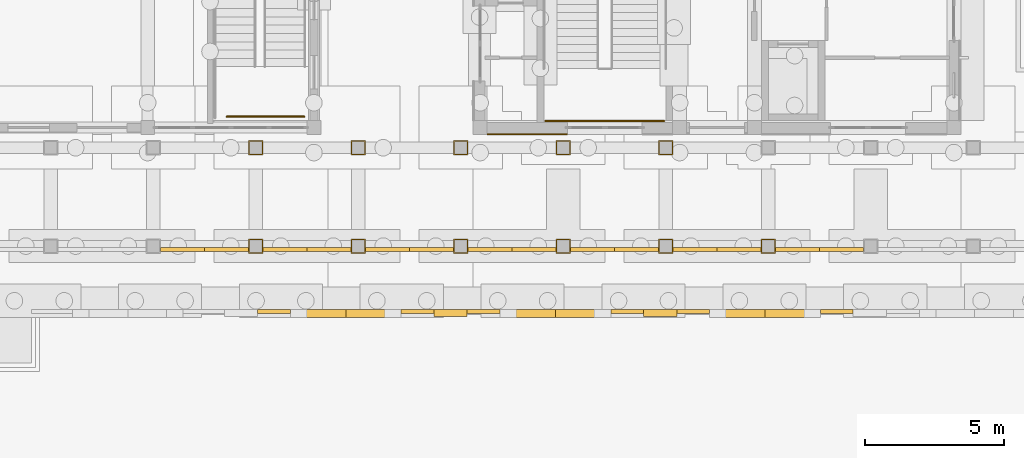
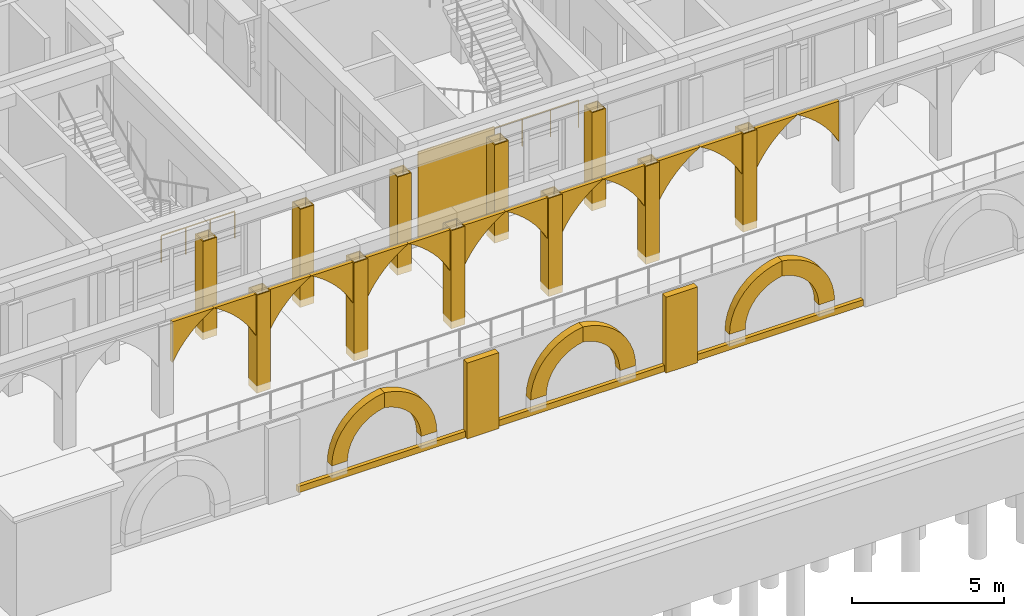
# One storey, part 93 of 161: 37 coverings, 2 railings.
"""IFC4 building model written with IfcOpenShell, lengths in metres."""

from ifc_helpers import new_model, si_unit, direction, frame, origin, origin_2d, place, context, subcontext, project, spatial, polyline, rectangle, circle, outline, extrude, material, layer, layer_set, type_object, element, save


model = new_model("IFC4")

# Units and contexts
model_context = context("Model", 3, precision=1e-05, world=origin(), true_north=direction((0.0, 1.0)))
body_context = subcontext(model_context, "Body", "Model", "MODEL_VIEW")
ifc_project = project(units=[si_unit("LENGTHUNIT", "METRE"), si_unit("AREAUNIT", "SQUARE_METRE"), si_unit("VOLUMEUNIT", "CUBIC_METRE"), si_unit("PLANEANGLEUNIT", "RADIAN"), si_unit("MASSUNIT", "GRAM", prefix="KILO")], contexts=[model_context])

# Site, building, storey
site_placement = place(None, origin())
site = spatial("IfcSite", under=ifc_project, at=site_placement, CompositionType="ELEMENT")
building_placement = place(site_placement, origin())
building = spatial("IfcBuilding", under=site, at=building_placement, Name="Elbe Cascade School", CompositionType="ELEMENT")
storey_placement = place(building_placement, origin())
storey = spatial("IfcBuildingStorey", under=building, at=storey_placement, Name="L00", CompositionType="ELEMENT", Elevation=0.0)

# Railing
ifc_material_1 = material(Name="Steel S355J2H, painted", Category="steel")
railing_type_1 = type_object("IfcRailingType", Name="Bar stair guard 1100", PredefinedType="GUARDRAIL", material=ifc_material_1)
railing_1_placement = place(storey_placement, frame((71.360107421875, 6.239990234375, 2.25)))
element("IfcRailing", 1, at=railing_1_placement, inside=storey, type_object=railing_type_1, Name="Stair guard A0.S", PredefinedType="GUARDRAIL", context=body_context, shape_type="SweptSolid", body=[
    extrude(circle(Radius=0.02392578125, at=origin_2d()), frame((0.0, 0.0, 1.09619140625), z_axis=(1.0, 0.0, 0.0), x_axis=(0.0, 1.0, 0.0)), (0.0, 0.0, 1.0), 4.27978515625),
    extrude(circle(Radius=0.02099609375, at=origin_2d()), origin(), (0.0, 0.0, 1.0), 1.072021484375),
    extrude(circle(Radius=0.02099609375, at=origin_2d()), frame((1.06982421875, 0.0, 0.0)), (0.0, 0.0, 1.0), 1.072021484375),
    extrude(circle(Radius=0.02099609375, at=origin_2d()), frame((2.139892578125, 0.0, 0.0)), (0.0, 0.0, 1.0), 1.072021484375),
    extrude(circle(Radius=0.02099609375, at=origin_2d()), frame((3.2099609375, 0.0, 0.0)), (0.0, 0.0, 1.0), 1.072021484375),
    extrude(circle(Radius=0.02099609375, at=origin_2d()), frame((4.27978515625, 0.0, 0.0)), (0.0, 0.0, 1.0), 1.072021484375),
])

# Covering
ifc_material_2 = material(Name="Sandstone - red", Category="masonry")
ifc_layer_1 = layer(ifc_material_2, 0.0400390625)
ifc_layer_set_1 = layer_set([ifc_layer_1], Name="Sandstone - red")
covering_type_1 = type_object("IfcCoveringType", Name="Bars envelope Sandstone cladding, red, 40 mm", PredefinedType="CLADDING", material=ifc_layer_set_1)
covering_1_placement = place(storey_placement, frame((70.699951171875, 5.760009765625, 0.0), z_axis=(0.0, 0.0, 1.0), x_axis=(1.0, 0.0, 0.0)))
element("IfcCovering", 2, at=covering_1_placement, inside=storey, type_object=covering_type_1, Name="Sandstone cladding CV48 A.L00.s.1a.1", PredefinedType="CLADDING", context=body_context, shape_type="SweptSolid", body=[
    extrude(rectangle(XDim=2.89990234375, YDim=0.0400390625, at=origin_2d()), origin(), (0.0, 0.0, 1.0), 3.800048828125),
])

# Railing
ifc_material_3 = material(Name="Steel S355J2H balustrade", Category="steel")
railing_type_2 = type_object("IfcRailingType", Name="Cafe guard 1100", PredefinedType="GUARDRAIL", material=ifc_material_3)
railing_2_placement = place(storey_placement, frame((59.85009765625, 6.39990234375, 2.25)))
element("IfcRailing", 3, at=railing_2_placement, inside=storey, type_object=railing_type_2, Name="Cafe guard 1100 RL11", PredefinedType="GUARDRAIL", context=body_context, shape_type="SweptSolid", body=[
    extrude(circle(Radius=0.02490234375, at=origin_2d()), frame((0.0, 0.0, 1.0751953125), z_axis=(1.0, 0.0, 0.0), x_axis=(0.0, 1.0, 0.0)), (0.0, 0.0, 1.0), 2.7998046875),
    extrude(circle(Radius=0.02001953125, at=origin_2d()), origin(), (0.0, 0.0, 1.0), 1.050048828125),
    extrude(circle(Radius=0.02001953125, at=origin_2d()), frame((0.933349609375, 0.0, 0.0)), (0.0, 0.0, 1.0), 1.050048828125),
    extrude(circle(Radius=0.02001953125, at=origin_2d()), frame((1.866455078125, 0.0, 0.0)), (0.0, 0.0, 1.0), 1.050048828125),
    extrude(circle(Radius=0.02001953125, at=origin_2d()), frame((2.7998046875, 0.0, 0.0)), (0.0, 0.0, 1.0), 1.050048828125),
])

# Coverings
ifc_material_4 = material(Name="Sandstone - red", Category="masonry")
ifc_layer_2 = layer(ifc_material_4, 0.14990234375)
ifc_layer_set_2 = layer_set([ifc_layer_2], Name="Sandstone - red")
covering_type_2 = type_object("IfcCoveringType", Name="Plinth base course 150x250", PredefinedType="CLADDING", material=ifc_layer_set_2)
covering_2_placement = place(storey_placement, frame((0.0, 0.0, -3.10009765625)))
element("IfcCovering", 4, at=covering_2_placement, inside=storey, type_object=covering_type_2, Name="Plinth base course south 0.4.2", PredefinedType="CLADDING", context=body_context, shape_type="SweptSolid", body=[
    extrude(outline(polyline([(60.966552734375, -0.7099609375), (67.333251953125, -0.7099609375), (67.333251953125, -0.56005859375), (60.966552734375, -0.56005859375), (60.966552734375, -0.7099609375)])), origin(), (0.0, 0.0, 1.0), 0.25),
])
covering_3_placement = place(storey_placement, frame((0.0, 0.0, -3.10009765625)))
element("IfcCovering", 5, at=covering_3_placement, inside=storey, type_object=covering_type_2, Name="Plinth base course south 0.4.3", PredefinedType="CLADDING", context=body_context, shape_type="SweptSolid", body=[
    extrude(outline(polyline([(68.533447265625, -0.7099609375), (74.89990234375, -0.7099609375), (74.89990234375, -0.56005859375), (68.533447265625, -0.56005859375), (68.533447265625, -0.7099609375)])), origin(), (0.0, 0.0, 1.0), 0.25),
])
covering_4_placement = place(storey_placement, frame((0.0, 0.0, -3.10009765625)))
element("IfcCovering", 6, at=covering_4_placement, inside=storey, type_object=covering_type_2, Name="Plinth base course south 0.4.4", PredefinedType="CLADDING", context=body_context, shape_type="SweptSolid", body=[
    extrude(outline(polyline([(76.10009765625, -0.7099609375), (82.466552734375, -0.7099609375), (82.466552734375, -0.56005859375), (76.10009765625, -0.56005859375), (76.10009765625, -0.7099609375)])), origin(), (0.0, 0.0, 1.0), 0.25),
])
ifc_material_5 = material(Name="Sandstone - red", Category="masonry")
ifc_layer_3 = layer(ifc_material_5, 0.300048828125)
ifc_layer_set_3 = layer_set([ifc_layer_3], Name="Sandstone - red")
covering_type_3 = type_object("IfcCoveringType", Name="Plinth niche arch band 600x300", PredefinedType="CLADDING", material=ifc_layer_set_3)
covering_5_placement = place(storey_placement, frame((62.14990234375, -0.860107421875, -2.35009765625), z_axis=(0.0, -1.0, 0.0), x_axis=(1.0, 0.0, 0.0)))
element("IfcCovering", 7, at=covering_5_placement, inside=storey, type_object=covering_type_3, Name="Plinth niche arch band south 0.4.2a", PredefinedType="CLADDING", context=body_context, shape_type="SweptSolid", body=[
    extrude(outline(polyline([(0.0, 0.0), (0.60009765625, 0.0), (0.61669921875, 0.234619140625), (0.666015625, 0.464599609375), (0.746826171875, 0.685302734375), (0.858154296875, 0.892578125), (0.997314453125, 1.08203125), (1.16162109375, 1.250244140625), (1.347900390625, 1.393798828125), (1.552490234375, 1.509521484375), (1.771484375, 1.595703125), (2.0, 1.650146484375), (2.0, 2.256103515625), (1.6767578125, 2.193115234375), (1.3662109375, 2.083984375), (1.074462890625, 1.930908203125), (0.807861328125, 1.737548828125), (0.572021484375, 1.507568359375), (0.3720703125, 1.245849609375), (0.2119140625, 0.9580078125), (0.09521484375, 0.650146484375), (0.02392578125, 0.32861328125), (0.0, 0.0)])), origin(), (0.0, 0.0, -1.0), 0.300048828125),
])
covering_6_placement = place(storey_placement, frame((66.126220703125, -0.860107421875, -2.021484375), z_axis=(0.0, -1.0, 0.0), x_axis=(-0.216459489286, 0.0, 0.976291600649)))
element("IfcCovering", 8, at=covering_6_placement, inside=storey, type_object=covering_type_3, Name="Plinth niche arch band south 0.4.2b", PredefinedType="CLADDING", context=body_context, shape_type="SweptSolid", body=[
    extrude(outline(polyline([(0.0, 0.0), (0.32934135960117644, 0.0), (0.6551644417049964, 0.04729296121112139), (0.9708493103907654, 0.14134607453088394), (1.2696973028493448, 0.28014356965241727), (1.545222228379718, 0.4603722209510249), (1.7917058001605646, 0.6787986155785705), (2.004304414248379, 0.9304949932625219), (2.1780687735896525, 1.2100568888472178), (2.3095853888902678, 1.512239462730118), (1.7179946289265977, 1.643404612243703), (1.6153248124213089, 1.4318531562628691), (1.483783040712662, 1.2367058500948127), (1.3265185703197675, 1.0620157711342504), (1.146045413213602, 0.9112266325612076), (0.946254849459528, 0.7872267157841368), (0.7311708184544712, 0.6923747507733593), (0.5047115664853533, 0.628552762616067), (0.2717487496053557, 0.5974313901794459), (0.036545745541084515, 0.5990656517947303), (-0.1961045165427231, 0.6336432251247164), (-0.3259485021812721, 0.048011276200165015), (0.0, 0.0)])), origin(), (0.0, 0.0, -1.0), 0.300048828125),
])
covering_7_placement = place(storey_placement, frame((69.716796875, -0.860107421875, -2.35009765625), z_axis=(0.0, -1.0, 0.0), x_axis=(1.0, 0.0, 0.0)))
element("IfcCovering", 9, at=covering_7_placement, inside=storey, type_object=covering_type_3, Name="Plinth niche arch band south 0.4.3a", PredefinedType="CLADDING", context=body_context, shape_type="SweptSolid", body=[
    extrude(outline(polyline([(0.0, 0.0), (0.599853515625, 0.0), (0.616455078125, 0.234619140625), (0.665771484375, 0.464599609375), (0.74658203125, 0.685302734375), (0.85791015625, 0.892578125), (0.9970703125, 1.08203125), (1.161376953125, 1.250244140625), (1.34765625, 1.393798828125), (1.55224609375, 1.509521484375), (1.77099609375, 1.595703125), (2.0, 1.650146484375), (2.0, 2.256103515625), (1.676513671875, 2.193115234375), (1.365966796875, 2.083984375), (1.07421875, 1.930908203125), (0.8076171875, 1.737548828125), (0.572021484375, 1.507568359375), (0.371826171875, 1.245849609375), (0.211669921875, 0.9580078125), (0.0947265625, 0.650146484375), (0.023681640625, 0.32861328125), (0.0, 0.0)])), origin(), (0.0, 0.0, -1.0), 0.300048828125),
])
covering_8_placement = place(storey_placement, frame((73.69287109375, -0.860107421875, -2.021484375), z_axis=(0.0, -1.0, 0.0), x_axis=(-0.216459489286, 0.0, 0.976291600649)))
element("IfcCovering", 10, at=covering_8_placement, inside=storey, type_object=covering_type_3, Name="Plinth niche arch band south 0.4.3b", PredefinedType="CLADDING", context=body_context, shape_type="SweptSolid", body=[
    extrude(outline(polyline([(0.0, 0.0), (0.32934135960117644, 0.0), (0.6551644417049964, 0.04729296121112139), (0.9708493103907654, 0.14134607453088394), (1.2696444562943432, 0.2799052172108526), (1.545222228379718, 0.4603722209510249), (1.7917058001605646, 0.6787986155785705), (2.004304414248379, 0.9304949932625219), (2.178121620144654, 1.2102952412887826), (2.3095325423352664, 1.512001110288553), (1.7179417823715963, 1.6431662598021382), (1.6153248124213089, 1.4318531562628691), (1.483783040712662, 1.2367058500948127), (1.3265185703197675, 1.0620157711342504), (1.146045413213602, 0.9112266325612076), (0.946254849459528, 0.7872267157841368), (0.7311708184544712, 0.6923747507733593), (0.5047644130403548, 0.6287911150576317), (0.2717487496053557, 0.5974313901794459), (0.036545745541084515, 0.5990656517947303), (-0.1961045165427231, 0.6336432251247164), (-0.3260013487362735, 0.04777292375860029), (0.0, 0.0)])), origin(), (0.0, 0.0, -1.0), 0.300048828125),
])
covering_9_placement = place(storey_placement, frame((77.283203125, -0.860107421875, -2.35009765625), z_axis=(0.0, -1.0, 0.0), x_axis=(1.0, 0.0, 0.0)))
element("IfcCovering", 11, at=covering_9_placement, inside=storey, type_object=covering_type_3, Name="Plinth niche arch band south 0.4.4a", PredefinedType="CLADDING", context=body_context, shape_type="SweptSolid", body=[
    extrude(outline(polyline([(0.0, 0.0), (0.60009765625, 0.0), (0.61669921875, 0.234619140625), (0.666015625, 0.464599609375), (0.7470703125, 0.685302734375), (0.858154296875, 0.892578125), (0.997314453125, 1.08203125), (1.16162109375, 1.250244140625), (1.347900390625, 1.393798828125), (1.552490234375, 1.509521484375), (1.771484375, 1.595703125), (2.0, 1.650146484375), (2.0, 2.256103515625), (1.677001953125, 2.193115234375), (1.3662109375, 2.083984375), (1.074462890625, 1.930908203125), (0.807861328125, 1.737548828125), (0.572021484375, 1.507568359375), (0.3720703125, 1.245849609375), (0.2119140625, 0.9580078125), (0.09521484375, 0.650146484375), (0.02392578125, 0.32861328125), (0.0, 0.0)])), origin(), (0.0, 0.0, -1.0), 0.300048828125),
])
covering_10_placement = place(storey_placement, frame((81.259521484375, -0.860107421875, -2.021484375), z_axis=(0.0, -1.0, 0.0), x_axis=(-0.215752753128, 0.0, 0.976448027044)))
element("IfcCovering", 12, at=covering_10_placement, inside=storey, type_object=covering_type_3, Name="Plinth niche arch band south 0.4.4b", PredefinedType="CLADDING", context=body_context, shape_type="SweptSolid", body=[
    extrude(outline(polyline([(0.0, 0.0), (0.32928859931076776, 0.0), (0.6551300375067007, 0.04776718341293948), (0.9707467440341984, 0.1420487776030396), (1.2694941909472746, 0.2810625546593224), (1.544888587491183, 0.4614905948572066), (1.7912139888179794, 0.6800953470677311), (2.0036303591657663, 0.9319455463123487), (2.1771923147486576, 1.211633146349308), (2.308490163594372, 1.5139108381280966), (1.7168046159570198, 1.6446477358976255), (1.614235281859136, 1.4327836281292001), (1.482887474156685, 1.237779548447321), (1.325749492725996, 1.0629756808496802), (1.1453855301921871, 0.9120559479895607), (0.9456847749460033, 0.7879114471850753), (0.7306694579858032, 0.692903820479138), (0.5042564622859574, 0.6289179286514578), (0.2713162333472466, 0.5976279364337665), (0.036112107954889394, 0.5990919481485736), (-0.19656312183069619, 0.633501110726002), (-0.3259831693003708, 0.0477753288787118), (0.0, 0.0)])), origin(), (0.0, 0.0, -1.0), 0.300048828125),
])
ifc_material_6 = material(Name="Sandstone - red", Category="masonry")
ifc_layer_4 = layer(ifc_material_6, 0.25)
ifc_layer_set_4 = layer_set([ifc_layer_4], Name="Sandstone - red")
covering_type_4 = type_object("IfcCoveringType", Name="Plinth pilaster 1200x250", PredefinedType="CLADDING", material=ifc_layer_set_4)
covering_11_placement = place(storey_placement, frame((0.0, 0.0, -3.10009765625)))
element("IfcCovering", 13, at=covering_11_placement, inside=storey, type_object=covering_type_4, Name="Plinth pilaster south 0.4.2", PredefinedType="CLADDING", context=body_context, shape_type="SweptSolid", body=[
    extrude(outline(polyline([(67.333251953125, -0.81005859375), (68.533447265625, -0.81005859375), (68.533447265625, -0.56005859375), (67.333251953125, -0.56005859375), (67.333251953125, -0.81005859375)])), origin(), (0.0, 0.0, 1.0), 3.050048828125),
])
covering_12_placement = place(storey_placement, frame((0.0, 0.0, -3.10009765625)))
element("IfcCovering", 14, at=covering_12_placement, inside=storey, type_object=covering_type_4, Name="Plinth pilaster south 0.4.3", PredefinedType="CLADDING", context=body_context, shape_type="SweptSolid", body=[
    extrude(outline(polyline([(74.89990234375, -0.81005859375), (76.10009765625, -0.81005859375), (76.10009765625, -0.56005859375), (74.89990234375, -0.56005859375), (74.89990234375, -0.81005859375)])), origin(), (0.0, 0.0, 1.0), 3.050048828125),
])
ifc_material_7 = material(Name="Sandstone - red", Category="masonry")
ifc_layer_5 = layer(ifc_material_7, 0.14990234375)
ifc_layer_set_5 = layer_set([ifc_layer_5], Name="Sandstone - red")
covering_type_5 = type_object("IfcCoveringType", Name="Sandstone arch spandrel 3170x150", PredefinedType="CLADDING", material=ifc_layer_set_5)
covering_13_placement = place(storey_placement, frame((57.465087890625, 1.52490234375, 3.64990234375), z_axis=(0.0, -1.0, 0.0), x_axis=(0.0, 0.0, -1.0)))
element("IfcCovering", 15, at=covering_13_placement, inside=storey, type_object=covering_type_5, Name="Colonnade arch spandrel 14l", PredefinedType="CLADDING", context=body_context, shape_type="SweptSolid", body=[
    extrude(outline(polyline([(0.0, 0.0), (1.64990234375, 0.0), (1.39697265625, 0.141845703125), (1.155029296875, 0.3017578125), (0.92529296875, 0.478759765625), (0.709228515625, 0.671875), (0.507568359375, 0.880126953125), (0.3212890625, 1.1025390625), (0.15185546875, 1.337890625), (0.0, 1.5849609375), (0.0, 0.0)])), origin(), (0.0, 0.0, -1.0), 0.14990234375),
])
covering_14_placement = place(storey_placement, frame((59.050048828125, 1.52490234375, 3.64990234375), z_axis=(0.0, -1.0, 0.0), x_axis=(0.851947232707, 0.0, -0.52362764698)))
element("IfcCovering", 16, at=covering_14_placement, inside=storey, type_object=covering_type_5, Name="Colonnade arch spandrel 14r", PredefinedType="CLADDING", context=body_context, shape_type="SweptSolid", body=[
    extrude(outline(polyline([(0.0, 0.0), (0.2900065908011918, 0.0), (0.5790258222713079, -0.021239735218986977), (0.8660501932777647, -0.06347873721038338), (1.1490647015553945, -0.12623606908103424), (1.4269340071906127, -0.20906326745450166), (1.6980266242612543, -0.3121033802272114), (1.960951535291733, -0.4344919541630051), (2.2142375666576024, -0.5757003697365862), (1.3503030846525463, 0.8299293662587784), (0.0, 0.0)])), origin(), (0.0, 0.0, -1.0), 0.14990234375),
])
covering_15_placement = place(storey_placement, frame((61.1650390625, 1.52490234375, 3.64990234375), z_axis=(0.0, -1.0, 0.0), x_axis=(0.0, 0.0, -1.0)))
element("IfcCovering", 17, at=covering_15_placement, inside=storey, type_object=covering_type_5, Name="Colonnade arch spandrel 15l", PredefinedType="CLADDING", context=body_context, shape_type="SweptSolid", body=[
    extrude(outline(polyline([(0.0, 0.0), (1.64990234375, 0.0), (1.39697265625, 0.141845703125), (1.155029296875, 0.3017578125), (0.92529296875, 0.478759765625), (0.709228515625, 0.671875), (0.507568359375, 0.88037109375), (0.3212890625, 1.1025390625), (0.15185546875, 1.337890625), (0.0, 1.5849609375), (0.0, 0.0)])), origin(), (0.0, 0.0, -1.0), 0.14990234375),
])
covering_16_placement = place(storey_placement, frame((62.75, 1.52490234375, 3.64990234375), z_axis=(0.0, -1.0, 0.0), x_axis=(0.851947232707, 0.0, -0.52362764698)))
element("IfcCovering", 18, at=covering_16_placement, inside=storey, type_object=covering_type_5, Name="Colonnade arch spandrel 15r", PredefinedType="CLADDING", context=body_context, shape_type="SweptSolid", body=[
    extrude(outline(polyline([(0.0, 0.0), (0.2900065908011918, 0.0), (0.5792338172011682, -0.021111896437985944), (0.8660501932777647, -0.06347873721038338), (1.1492726964852549, -0.12610823030003315), (1.4269340071906127, -0.20906326745450166), (1.6980266242612543, -0.3121033802272114), (1.960951535291733, -0.4344919541630051), (2.2142375666576024, -0.5757003697365862), (1.3503030846525463, 0.8299293662587784), (0.0, 0.0)])), origin(), (0.0, 0.0, -1.0), 0.14990234375),
])
covering_17_placement = place(storey_placement, frame((64.864990234375, 1.52490234375, 3.64990234375), z_axis=(0.0, -1.0, 0.0), x_axis=(0.0, 0.0, -1.0)))
element("IfcCovering", 19, at=covering_17_placement, inside=storey, type_object=covering_type_5, Name="Colonnade arch spandrel 16l", PredefinedType="CLADDING", context=body_context, shape_type="SweptSolid", body=[
    extrude(outline(polyline([(0.0, 0.0), (1.64990234375, 0.0), (1.39697265625, 0.141845703125), (1.155029296875, 0.3017578125), (0.92529296875, 0.478759765625), (0.709228515625, 0.672119140625), (0.507568359375, 0.88037109375), (0.3212890625, 1.102783203125), (0.15185546875, 1.337890625), (0.0, 1.5849609375), (0.0, 0.0)])), origin(), (0.0, 0.0, -1.0), 0.14990234375),
])
covering_18_placement = place(storey_placement, frame((66.449951171875, 1.52490234375, 3.64990234375), z_axis=(0.0, -1.0, 0.0), x_axis=(0.851947232707, 0.0, -0.52362764698)))
element("IfcCovering", 20, at=covering_18_placement, inside=storey, type_object=covering_type_5, Name="Colonnade arch spandrel 16r", PredefinedType="CLADDING", context=body_context, shape_type="SweptSolid", body=[
    extrude(outline(polyline([(0.0, 0.0), (0.2900065908011918, 0.0), (0.5792338172011682, -0.021111896437985944), (0.866258188207625, -0.06335089842938235), (1.1492726964852549, -0.12610823030003315), (1.4269340071906127, -0.20906326745450166), (1.6980266242612543, -0.3121033802272114), (1.960951535291733, -0.4344919541630051), (2.2142375666576024, -0.5757003697365862), (1.3503030846525463, 0.8299293662587784), (0.0, 0.0)])), origin(), (0.0, 0.0, -1.0), 0.14990234375),
])
covering_19_placement = place(storey_placement, frame((68.56494140625, 1.52490234375, 3.64990234375), z_axis=(0.0, -1.0, 0.0), x_axis=(0.0, 0.0, -1.0)))
element("IfcCovering", 21, at=covering_19_placement, inside=storey, type_object=covering_type_5, Name="Colonnade arch spandrel 17l", PredefinedType="CLADDING", context=body_context, shape_type="SweptSolid", body=[
    extrude(outline(polyline([(0.0, 0.0), (1.64990234375, 0.0), (1.39697265625, 0.141845703125), (1.155029296875, 0.3017578125), (0.92529296875, 0.478759765625), (0.709228515625, 0.672119140625), (0.507568359375, 0.88037109375), (0.3212890625, 1.102783203125), (0.15185546875, 1.338134765625), (0.0, 1.5849609375), (0.0, 0.0)])), origin(), (0.0, 0.0, -1.0), 0.14990234375),
])
covering_20_placement = place(storey_placement, frame((70.14990234375, 1.52490234375, 3.64990234375), z_axis=(0.0, -1.0, 0.0), x_axis=(0.851947232707, 0.0, -0.52362764698)))
element("IfcCovering", 22, at=covering_20_placement, inside=storey, type_object=covering_type_5, Name="Colonnade arch spandrel 17r", PredefinedType="CLADDING", context=body_context, shape_type="SweptSolid", body=[
    extrude(outline(polyline([(0.0, 0.0), (0.2900065908011918, 0.0), (0.5792338172011682, -0.021111896437985944), (0.866258188207625, -0.06335089842938235), (1.1492726964852549, -0.12610823030003315), (1.4269340071906127, -0.20906326745450166), (1.6980266242612543, -0.3121033802272114), (1.960951535291733, -0.4344919541630051), (2.2144455615874628, -0.5755725309555851), (1.3505110795824065, 0.8300572050397795), (0.0, 0.0)])), origin(), (0.0, 0.0, -1.0), 0.14990234375),
])
covering_21_placement = place(storey_placement, frame((72.264892578125, 1.52490234375, 3.64990234375), z_axis=(0.0, -1.0, 0.0), x_axis=(0.0, 0.0, -1.0)))
element("IfcCovering", 23, at=covering_21_placement, inside=storey, type_object=covering_type_5, Name="Colonnade arch spandrel 18l", PredefinedType="CLADDING", context=body_context, shape_type="SweptSolid", body=[
    extrude(outline(polyline([(0.0, 0.0), (1.64990234375, 0.0), (1.39697265625, 0.14208984375), (1.155029296875, 0.302001953125), (0.92529296875, 0.47900390625), (0.709228515625, 0.672119140625), (0.507568359375, 0.88037109375), (0.3212890625, 1.102783203125), (0.15185546875, 1.338134765625), (0.0, 1.585205078125), (0.0, 0.0)])), origin(), (0.0, 0.0, -1.0), 0.14990234375),
])
covering_22_placement = place(storey_placement, frame((73.85009765625, 1.52490234375, 3.64990234375), z_axis=(0.0, -1.0, 0.0), x_axis=(0.851716162106, 0.0, -0.524003415262)))
element("IfcCovering", 24, at=covering_22_placement, inside=storey, type_object=covering_type_5, Name="Colonnade arch spandrel 18r", PredefinedType="CLADDING", context=body_context, shape_type="SweptSolid", body=[
    extrude(outline(polyline([(0.0, 0.0), (0.28979862406807466, 0.0), (0.5790351354115117, -0.02098430766332937), (0.8660781113695626, -0.06309669056939587), (1.1491202762337052, -0.12572917022788543), (1.4270260923703046, -0.20843378413815372), (1.6981641371186122, -0.3113542998796086), (1.9611430118023847, -0.4336268779193272), (2.214491309750543, -0.5747235477618304), (1.3499368467761932, 0.8305249443074108), (0.0, 0.0)])), origin(), (0.0, 0.0, -1.0), 0.14990234375),
])
covering_23_placement = place(storey_placement, frame((75.965087890625, 1.52490234375, 3.64990234375), z_axis=(0.0, -1.0, 0.0), x_axis=(0.0, 0.0, -1.0)))
element("IfcCovering", 25, at=covering_23_placement, inside=storey, type_object=covering_type_5, Name="Colonnade arch spandrel 19l", PredefinedType="CLADDING", context=body_context, shape_type="SweptSolid", body=[
    extrude(outline(polyline([(0.0, 0.0), (1.64990234375, 0.0), (1.39697265625, 0.141845703125), (1.155029296875, 0.3017578125), (0.92529296875, 0.478759765625), (0.709228515625, 0.671875), (0.507568359375, 0.880126953125), (0.3212890625, 1.1025390625), (0.15185546875, 1.337890625), (0.0, 1.5849609375), (0.0, 0.0)])), origin(), (0.0, 0.0, -1.0), 0.14990234375),
])
covering_24_placement = place(storey_placement, frame((77.550048828125, 1.52490234375, 3.64990234375), z_axis=(0.0, -1.0, 0.0), x_axis=(0.851947232707, 0.0, -0.52362764698)))
element("IfcCovering", 26, at=covering_24_placement, inside=storey, type_object=covering_type_5, Name="Colonnade arch spandrel 19r", PredefinedType="CLADDING", context=body_context, shape_type="SweptSolid", body=[
    extrude(outline(polyline([(0.0, 0.0), (0.2900065908011918, 0.0), (0.5790258222713079, -0.021239735218986977), (0.8660501932777647, -0.06347873721038338), (1.1490647015553945, -0.12623606908103424), (1.4269340071906127, -0.20906326745450166), (1.6980266242612543, -0.3121033802272114), (1.960951535291733, -0.4344919541630051), (2.2142375666576024, -0.5757003697365862), (1.3503030846525463, 0.8299293662587784), (0.0, 0.0)])), origin(), (0.0, 0.0, -1.0), 0.14990234375),
])
covering_25_placement = place(storey_placement, frame((79.6650390625, 1.52490234375, 3.64990234375), z_axis=(0.0, -1.0, 0.0), x_axis=(0.0, 0.0, -1.0)))
element("IfcCovering", 27, at=covering_25_placement, inside=storey, type_object=covering_type_5, Name="Colonnade arch spandrel 20l", PredefinedType="CLADDING", context=body_context, shape_type="SweptSolid", body=[
    extrude(outline(polyline([(0.0, 0.0), (1.64990234375, 0.0), (1.39697265625, 0.141845703125), (1.155029296875, 0.3017578125), (0.92529296875, 0.478759765625), (0.709228515625, 0.671875), (0.507568359375, 0.88037109375), (0.3212890625, 1.1025390625), (0.15185546875, 1.337890625), (0.0, 1.5849609375), (0.0, 0.0)])), origin(), (0.0, 0.0, -1.0), 0.14990234375),
])
covering_26_placement = place(storey_placement, frame((81.25, 1.52490234375, 3.64990234375), z_axis=(0.0, -1.0, 0.0), x_axis=(0.851947232707, 0.0, -0.52362764698)))
element("IfcCovering", 28, at=covering_26_placement, inside=storey, type_object=covering_type_5, Name="Colonnade arch spandrel 20r", PredefinedType="CLADDING", context=body_context, shape_type="SweptSolid", body=[
    extrude(outline(polyline([(0.0, 0.0), (0.2900065908011918, 0.0), (0.5792338172011682, -0.021111896437985944), (0.8660501932777647, -0.06347873721038338), (1.1492726964852549, -0.12610823030003315), (1.4269340071906127, -0.20906326745450166), (1.6980266242612543, -0.3121033802272114), (1.960951535291733, -0.4344919541630051), (2.2142375666576024, -0.5757003697365862), (1.3503030846525463, 0.8299293662587784), (0.0, 0.0)])), origin(), (0.0, 0.0, -1.0), 0.14990234375),
])
ifc_material_8 = material(Name="Sandstone - red", Category="masonry")
ifc_layer_6 = layer(ifc_material_8, 0.0400390625)
ifc_layer_set_6 = layer_set([ifc_layer_6], Name="Sandstone - red")
covering_type_6 = type_object("IfcCoveringType", Name="Sandstone column cladding 40", PredefinedType="CLADDING", material=ifc_layer_set_6)
covering_27_placement = place(storey_placement, frame((0.0, 0.0, -0.300048828125)))
element("IfcCovering", 29, at=covering_27_placement, inside=storey, type_object=covering_type_6, Name="Colonnade column sandstone cladding F15", PredefinedType="CLADDING", context=body_context, shape_type="SweptSolid", body=[
    extrude(outline(polyline([(60.635009765625, 1.4599609375), (61.1650390625, 1.4599609375), (61.1650390625, 1.989990234375), (60.635009765625, 1.989990234375), (60.635009765625, 1.4599609375)]), holes=[polyline([(60.675048828125, 1.949951171875), (61.125, 1.949951171875), (61.125, 1.5), (60.675048828125, 1.5), (60.675048828125, 1.949951171875)])]), origin(), (0.0, 0.0, 1.0), 3.949951171875),
])
covering_28_placement = place(storey_placement, frame((0.0, 0.0, -0.300048828125)))
element("IfcCovering", 30, at=covering_28_placement, inside=storey, type_object=covering_type_6, Name="Colonnade column sandstone cladding F16", PredefinedType="CLADDING", context=body_context, shape_type="SweptSolid", body=[
    extrude(outline(polyline([(64.3349609375, 1.4599609375), (64.864990234375, 1.4599609375), (64.864990234375, 1.989990234375), (64.3349609375, 1.989990234375), (64.3349609375, 1.4599609375)]), holes=[polyline([(64.375, 1.949951171875), (64.824951171875, 1.949951171875), (64.824951171875, 1.5), (64.375, 1.5), (64.375, 1.949951171875)])]), origin(), (0.0, 0.0, 1.0), 3.949951171875),
])
covering_29_placement = place(storey_placement, frame((0.0, 0.0, -0.300048828125)))
element("IfcCovering", 31, at=covering_29_placement, inside=storey, type_object=covering_type_6, Name="Colonnade column sandstone cladding F17", PredefinedType="CLADDING", context=body_context, shape_type="SweptSolid", body=[
    extrude(outline(polyline([(68.034912109375, 1.4599609375), (68.56494140625, 1.4599609375), (68.56494140625, 1.989990234375), (68.034912109375, 1.989990234375), (68.034912109375, 1.4599609375)]), holes=[polyline([(68.074951171875, 1.949951171875), (68.52490234375, 1.949951171875), (68.52490234375, 1.5), (68.074951171875, 1.5), (68.074951171875, 1.949951171875)])]), origin(), (0.0, 0.0, 1.0), 3.949951171875),
])
covering_30_placement = place(storey_placement, frame((0.0, 0.0, -0.300048828125)))
element("IfcCovering", 32, at=covering_30_placement, inside=storey, type_object=covering_type_6, Name="Colonnade column sandstone cladding F18", PredefinedType="CLADDING", context=body_context, shape_type="SweptSolid", body=[
    extrude(outline(polyline([(71.735107421875, 1.4599609375), (72.264892578125, 1.4599609375), (72.264892578125, 1.989990234375), (71.735107421875, 1.989990234375), (71.735107421875, 1.4599609375)]), holes=[polyline([(71.77490234375, 1.949951171875), (72.22509765625, 1.949951171875), (72.22509765625, 1.5), (71.77490234375, 1.5), (71.77490234375, 1.949951171875)])]), origin(), (0.0, 0.0, 1.0), 3.949951171875),
])
covering_31_placement = place(storey_placement, frame((0.0, 0.0, -0.300048828125)))
element("IfcCovering", 33, at=covering_31_placement, inside=storey, type_object=covering_type_6, Name="Colonnade column sandstone cladding F19", PredefinedType="CLADDING", context=body_context, shape_type="SweptSolid", body=[
    extrude(outline(polyline([(75.43505859375, 1.4599609375), (75.965087890625, 1.4599609375), (75.965087890625, 1.989990234375), (75.43505859375, 1.989990234375), (75.43505859375, 1.4599609375)]), holes=[polyline([(75.47509765625, 1.949951171875), (75.925048828125, 1.949951171875), (75.925048828125, 1.5), (75.47509765625, 1.5), (75.47509765625, 1.949951171875)])]), origin(), (0.0, 0.0, 1.0), 3.949951171875),
])
covering_32_placement = place(storey_placement, frame((0.0, 0.0, -0.300048828125)))
element("IfcCovering", 34, at=covering_32_placement, inside=storey, type_object=covering_type_6, Name="Colonnade column sandstone cladding F20", PredefinedType="CLADDING", context=body_context, shape_type="SweptSolid", body=[
    extrude(outline(polyline([(79.135009765625, 1.4599609375), (79.6650390625, 1.4599609375), (79.6650390625, 1.989990234375), (79.135009765625, 1.989990234375), (79.135009765625, 1.4599609375)]), holes=[polyline([(79.175048828125, 1.949951171875), (79.625, 1.949951171875), (79.625, 1.5), (79.175048828125, 1.5), (79.175048828125, 1.949951171875)])]), origin(), (0.0, 0.0, 1.0), 3.949951171875),
])
covering_33_placement = place(storey_placement, frame((0.0, 0.0, -0.300048828125)))
element("IfcCovering", 35, at=covering_33_placement, inside=storey, type_object=covering_type_6, Name="Colonnade column sandstone cladding R15", PredefinedType="CLADDING", context=body_context, shape_type="SweptSolid", body=[
    extrude(outline(polyline([(60.635009765625, 5.010009765625), (61.1650390625, 5.010009765625), (61.1650390625, 5.5400390625), (60.635009765625, 5.5400390625), (60.635009765625, 5.010009765625)]), holes=[polyline([(60.675048828125, 5.5), (61.125, 5.5), (61.125, 5.050048828125), (60.675048828125, 5.050048828125), (60.675048828125, 5.5)])]), origin(), (0.0, 0.0, 1.0), 3.949951171875),
])
covering_34_placement = place(storey_placement, frame((0.0, 0.0, -0.300048828125)))
element("IfcCovering", 36, at=covering_34_placement, inside=storey, type_object=covering_type_6, Name="Colonnade column sandstone cladding R16", PredefinedType="CLADDING", context=body_context, shape_type="SweptSolid", body=[
    extrude(outline(polyline([(64.3349609375, 5.010009765625), (64.864990234375, 5.010009765625), (64.864990234375, 5.5400390625), (64.3349609375, 5.5400390625), (64.3349609375, 5.010009765625)]), holes=[polyline([(64.375, 5.5), (64.824951171875, 5.5), (64.824951171875, 5.050048828125), (64.375, 5.050048828125), (64.375, 5.5)])]), origin(), (0.0, 0.0, 1.0), 3.949951171875),
])
covering_35_placement = place(storey_placement, frame((0.0, 0.0, -0.300048828125)))
element("IfcCovering", 37, at=covering_35_placement, inside=storey, type_object=covering_type_6, Name="Colonnade column sandstone cladding R17", PredefinedType="CLADDING", context=body_context, shape_type="SweptSolid", body=[
    extrude(outline(polyline([(68.034912109375, 5.010009765625), (68.56494140625, 5.010009765625), (68.56494140625, 5.5400390625), (68.034912109375, 5.5400390625), (68.034912109375, 5.010009765625)]), holes=[polyline([(68.074951171875, 5.5), (68.52490234375, 5.5), (68.52490234375, 5.050048828125), (68.074951171875, 5.050048828125), (68.074951171875, 5.5)])]), origin(), (0.0, 0.0, 1.0), 3.949951171875),
])
covering_36_placement = place(storey_placement, frame((0.0, 0.0, -0.300048828125)))
element("IfcCovering", 38, at=covering_36_placement, inside=storey, type_object=covering_type_6, Name="Colonnade column sandstone cladding R18", PredefinedType="CLADDING", context=body_context, shape_type="SweptSolid", body=[
    extrude(outline(polyline([(71.735107421875, 5.010009765625), (72.264892578125, 5.010009765625), (72.264892578125, 5.5400390625), (71.735107421875, 5.5400390625), (71.735107421875, 5.010009765625)]), holes=[polyline([(71.77490234375, 5.5), (72.22509765625, 5.5), (72.22509765625, 5.050048828125), (71.77490234375, 5.050048828125), (71.77490234375, 5.5)])]), origin(), (0.0, 0.0, 1.0), 3.949951171875),
])
covering_37_placement = place(storey_placement, frame((0.0, 0.0, -0.300048828125)))
element("IfcCovering", 39, at=covering_37_placement, inside=storey, type_object=covering_type_6, Name="Colonnade column sandstone cladding R19", PredefinedType="CLADDING", context=body_context, shape_type="SweptSolid", body=[
    extrude(outline(polyline([(75.43505859375, 5.010009765625), (75.965087890625, 5.010009765625), (75.965087890625, 5.5400390625), (75.43505859375, 5.5400390625), (75.43505859375, 5.010009765625)]), holes=[polyline([(75.47509765625, 5.5), (75.925048828125, 5.5), (75.925048828125, 5.050048828125), (75.47509765625, 5.050048828125), (75.47509765625, 5.5)])]), origin(), (0.0, 0.0, 1.0), 3.949951171875),
])

save(model, "model.ifc")
